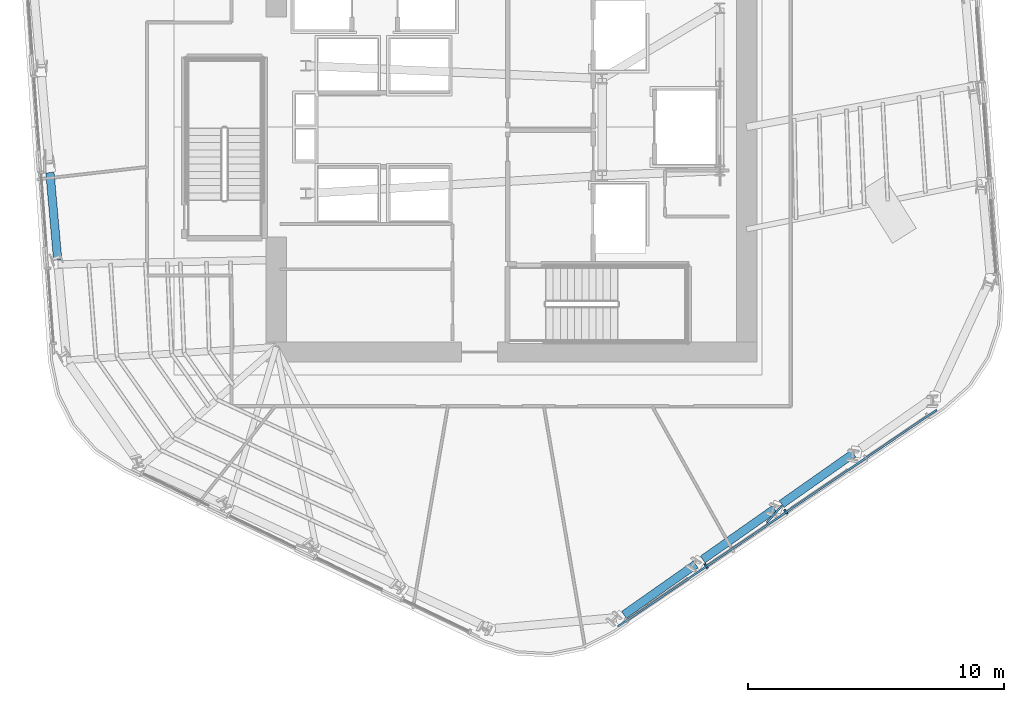
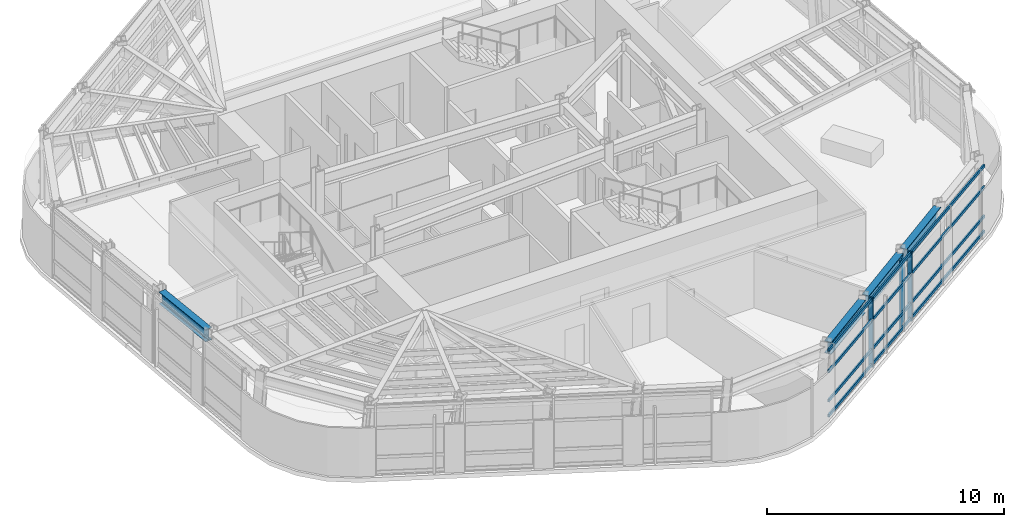
# One storey, part 3 of 15: 7 members, 4 beams, 1 element without a shape of its own.
"""IFC4 building model written with IfcOpenShell, lengths in metres."""

from ifc_helpers import new_model, si_unit, direction, frame, origin, origin_2d, place, context, subcontext, project, spatial, rectangle, i_section, extrude, material, layer, layer_set, material_profile, profile_set, type_object, element, aggregate, save


model = new_model("IFC4")

# Units and contexts
model_context = context("Model", 3, precision=1e-05, world=origin(), true_north=direction((0.0, 1.0)))
body_context = subcontext(model_context, "Body", "Model", "MODEL_VIEW")
ifc_project = project(units=[si_unit("LENGTHUNIT", "METRE"), si_unit("AREAUNIT", "SQUARE_METRE"), si_unit("VOLUMEUNIT", "CUBIC_METRE"), si_unit("PLANEANGLEUNIT", "RADIAN"), si_unit("MASSUNIT", "GRAM", prefix="KILO")], contexts=[model_context])

# Site, building, storey
site_placement = place(None, origin())
site = spatial("IfcSite", under=ifc_project, at=site_placement, CompositionType="ELEMENT")
building_placement = place(site_placement, origin())
building = spatial("IfcBuilding", under=site, at=building_placement, Name="Valkerne Bourse Tower", CompositionType="ELEMENT")
storey_placement = place(building_placement, frame((0.0, 0.0, 170.39990234375)))
storey = spatial("IfcBuildingStorey", under=building, at=storey_placement, Name="L43", CompositionType="ELEMENT", Elevation=170.39990234375)

# Beams
ifc_material_1 = material(Name="Steel ASTM A992", Category="steel")
ifc_material_profile_1 = material_profile(ifc_material_1, i_section(OverallWidth=0.32763671875, OverallDepth=0.62744140625, WebThickness=0.0166015625, FlangeThickness=0.027587890625, FilletRadius=0.020263671875, at=origin_2d()), Name="W24X146")
ifc_profile_set_1 = profile_set([ifc_material_profile_1], Name="Steel ASTM A992")
beam_type = type_object("IfcBeamType", Name="BM-W24X146", PredefinedType="SPANDREL", material=ifc_profile_set_1)
beam_1_placement = place(storey_placement, frame((28.74365234375, 25.218017578125, 3.266357421875), z_axis=(0.088867652001, -0.996043443042, 0.0), x_axis=(0.996043443042, 0.088867652001, 0.0)))
element("IfcBeam", 1, at=beam_1_placement, inside=storey, type_object=beam_type, Name="L43 Hexagonal Spandrel Ring Beam 12", PredefinedType="SPANDREL", context=body_context, shape_type="SweptSolid", body=[
    extrude(i_section(OverallWidth=0.32763671875, OverallDepth=0.62744140625, WebThickness=0.0166015625, FlangeThickness=0.027587890625, FilletRadius=0.020263671875, at=origin_2d()), origin(), (0.0, 0.0, 1.0), 3.431396484375),
])
beam_2_placement = place(storey_placement, frame((51.201171875, 7.917236328125, 3.266357421875), z_axis=(0.818157314603, 0.574994442201, 0.0), x_axis=(-0.574994442201, 0.818157314603, 0.0)))
element("IfcBeam", 2, at=beam_2_placement, inside=storey, type_object=beam_type, Name="L43 Hexagonal Spandrel Ring Beam 20", PredefinedType="SPANDREL", context=body_context, shape_type="SweptSolid", body=[
    extrude(i_section(OverallWidth=0.32763671875, OverallDepth=0.62744140625, WebThickness=0.0166015625, FlangeThickness=0.027587890625, FilletRadius=0.020263671875, at=origin_2d()), origin(), (0.0, 0.0, 1.0), 3.4306640625),
])
for number, where, z_axis, x_axis, name in (
    (3, (54.286376953125, 10.08544921875, 3.266357421875), (0.818147365693, 0.575008598205, 0.0), (-0.575008598205, 0.818147365693, 0.0), "L43 Hexagonal Spandrel Ring Beam 21"),
    (4, (57.37158203125, 12.25390625, 3.266357421875), (0.818147365693, 0.575008598205, 0.0), (-0.575008598205, 0.818147365693, 0.0), "L43 Hexagonal Spandrel Ring Beam 22"),
):
    element("IfcBeam", number, at=place(storey_placement, frame(where, z_axis=z_axis, x_axis=x_axis)), inside=storey, type_object=beam_type, Name=name, PredefinedType="SPANDREL", context=body_context, shape_type="SweptSolid", body=[
        extrude(i_section(OverallWidth=0.32763671875, OverallDepth=0.62744140625, WebThickness=0.0166015625, FlangeThickness=0.027587890625, FilletRadius=0.020263671875, at=origin_2d()), origin(), (0.0, 0.0, 1.0), 3.43115234375),
    ])

# Curtain wall, members
ifc_material_2 = material(Name="Aluminium AA 6063-T6", Category="aluminium")
ifc_layer = layer(ifc_material_2, 0.235107421875)
ifc_layer_set = layer_set([ifc_layer], Name="Aluminium AA 6063-T6")
curtain_wall_type = type_object("IfcCurtainWallType", Name="CW-03", PredefinedType="NOTDEFINED", material=ifc_layer_set)
curtain_wall_placement = place(storey_placement, origin())
curtain_wall = element("IfcCurtainWall", 5, at=curtain_wall_placement, inside=storey, type_object=curtain_wall_type, Name="L43 Hexagonal Stick Curtain Wall Face 5", PredefinedType="NOTDEFINED")
ifc_material_profile_2 = material_profile(ifc_material_2, rectangle(XDim=0.074951171875, YDim=0.199951171875, at=origin_2d()), Name="CWM-75X200")
ifc_profile_set_2 = profile_set([ifc_material_profile_2], Name="Aluminium AA 6063-T6")
member_type_1 = type_object("IfcMemberType", Name="CW-MUL-220X75", PredefinedType="MULLION", material=ifc_profile_set_2)
member_1_placement = place(storey_placement, frame((54.41748046875, 9.829345703125, 0.0), z_axis=(0.0, 0.0, 1.0), x_axis=(0.827080851805, 0.562082969478, 0.0)))
member_1 = element("IfcMember", 6, at=member_1_placement, type_object=member_type_1, Name="CW-L43-F5 Jamb Mullion 01A", PredefinedType="MULLION", context=body_context, shape_type="SweptSolid", body=[
    extrude(rectangle(XDim=0.074951171875, YDim=0.199951171875, at=origin_2d()), origin(), (0.0, 0.0, 1.0), 3.580078125),
])
member_2_placement = place(storey_placement, frame((57.53662109375, 11.948974609375, 0.0), z_axis=(0.0, 0.0, 1.0), x_axis=(0.827080851805, 0.562082969478, 0.0)))
member_2 = element("IfcMember", 7, at=member_2_placement, type_object=member_type_1, Name="CW-L43-F5 Jamb Mullion 02A", PredefinedType="MULLION", context=body_context, shape_type="SweptSolid", body=[
    extrude(rectangle(XDim=0.074951171875, YDim=0.199951171875, at=origin_2d()), origin(), (0.0, 0.0, 1.0), 3.580078125),
])
ifc_material_profile_3 = material_profile(ifc_material_2, rectangle(XDim=0.074951171875, YDim=0.14990234375, at=origin_2d()), Name="CWT-75X150")
ifc_profile_set_3 = profile_set([ifc_material_profile_3], Name="Aluminium AA 6063-T6")
member_type_2 = type_object("IfcMemberType", Name="CW-TRN-180X65", PredefinedType="USERDEFINED", material=ifc_profile_set_3)
member_3_placement = place(storey_placement, frame((50.96240234375, 7.457275390625, 0.1201171875), z_axis=(0.827089631575, 0.562070050208, 0.0), x_axis=(-0.562070050208, 0.827089631575, 0.0)))
member_3 = element("IfcMember", 8, at=member_3_placement, type_object=member_type_2, Name="CW-L43-F5 Continuous Face Transom 1", ObjectType="TRANSOM", PredefinedType="USERDEFINED", context=body_context, shape_type="SweptSolid", body=[
    extrude(rectangle(XDim=0.074951171875, YDim=0.14990234375, at=origin_2d()), origin(), (0.0, 0.0, 1.0), 15.083984375),
])
member_4_placement = place(storey_placement, frame((50.96240234375, 7.457275390625, 0.900146484375), z_axis=(0.827089631575, 0.562070050208, 0.0), x_axis=(-0.562070050208, 0.827089631575, 0.0)))
member_4 = element("IfcMember", 9, at=member_4_placement, type_object=member_type_2, Name="CW-L43-F5 Continuous Face Transom 2", ObjectType="TRANSOM", PredefinedType="USERDEFINED", context=body_context, shape_type="SweptSolid", body=[
    extrude(rectangle(XDim=0.074951171875, YDim=0.14990234375, at=origin_2d()), origin(), (0.0, 0.0, 1.0), 15.083984375),
])
member_5_placement = place(storey_placement, frame((50.96240234375, 7.457275390625, 2.400146484375), z_axis=(0.827089631575, 0.562070050208, 0.0), x_axis=(-0.562070050208, 0.827089631575, 0.0)))
member_5 = element("IfcMember", 10, at=member_5_placement, type_object=member_type_2, Name="CW-L43-F5 Continuous Face Transom 3", ObjectType="TRANSOM", PredefinedType="USERDEFINED", context=body_context, shape_type="SweptSolid", body=[
    extrude(rectangle(XDim=0.074951171875, YDim=0.14990234375, at=origin_2d()), origin(), (0.0, 0.0, 1.0), 15.083984375),
])
member_6_placement = place(storey_placement, frame((50.96240234375, 7.457275390625, 3.5), z_axis=(0.827089631575, 0.562070050208, 0.0), x_axis=(-0.562070050208, 0.827089631575, 0.0)))
member_6 = element("IfcMember", 11, at=member_6_placement, type_object=member_type_2, Name="CW-L43-F5 Continuous Face Transom 4", ObjectType="TRANSOM", PredefinedType="USERDEFINED", context=body_context, shape_type="SweptSolid", body=[
    extrude(rectangle(XDim=0.074951171875, YDim=0.14990234375, at=origin_2d()), origin(), (0.0, 0.0, 1.0), 15.083984375),
])
aggregate(curtain_wall, [member_3, member_4, member_5, member_6, member_1, member_2])

# Member
ifc_material_3 = material(Name="Bronze Anodised Aluminium AA 6063-T6", Category="aluminium")
ifc_material_profile_4 = material_profile(ifc_material_3, rectangle(XDim=0.070068359375, YDim=0.89990234375, at=origin_2d()), Name="FIN-70X900")
ifc_profile_set_4 = profile_set([ifc_material_profile_4], Name="Bronze Anodised Aluminium AA 6063-T6")
member_type_3 = type_object("IfcMemberType", Name="FIN-SOLAR-900", PredefinedType="USERDEFINED", material=ifc_profile_set_4)
member_7_placement = place(storey_placement, frame((57.087890625, 11.86181640625, 0.004150390625), z_axis=(0.0, 0.0, 1.0), x_axis=(0.743598799358, -0.668626073073, 0.0)))
element("IfcMember", 12, at=member_7_placement, inside=storey, type_object=member_type_3, Name="L43 Bronze Anodised Solar Fin F5-02", ObjectType="SOLAR_FIN", PredefinedType="USERDEFINED", context=body_context, shape_type="SweptSolid", body=[
    extrude(rectangle(XDim=0.070068359375, YDim=0.89990234375, at=origin_2d()), origin(), (0.0, 0.0, 1.0), 3.572021484375),
])

save(model, "model.ifc")
